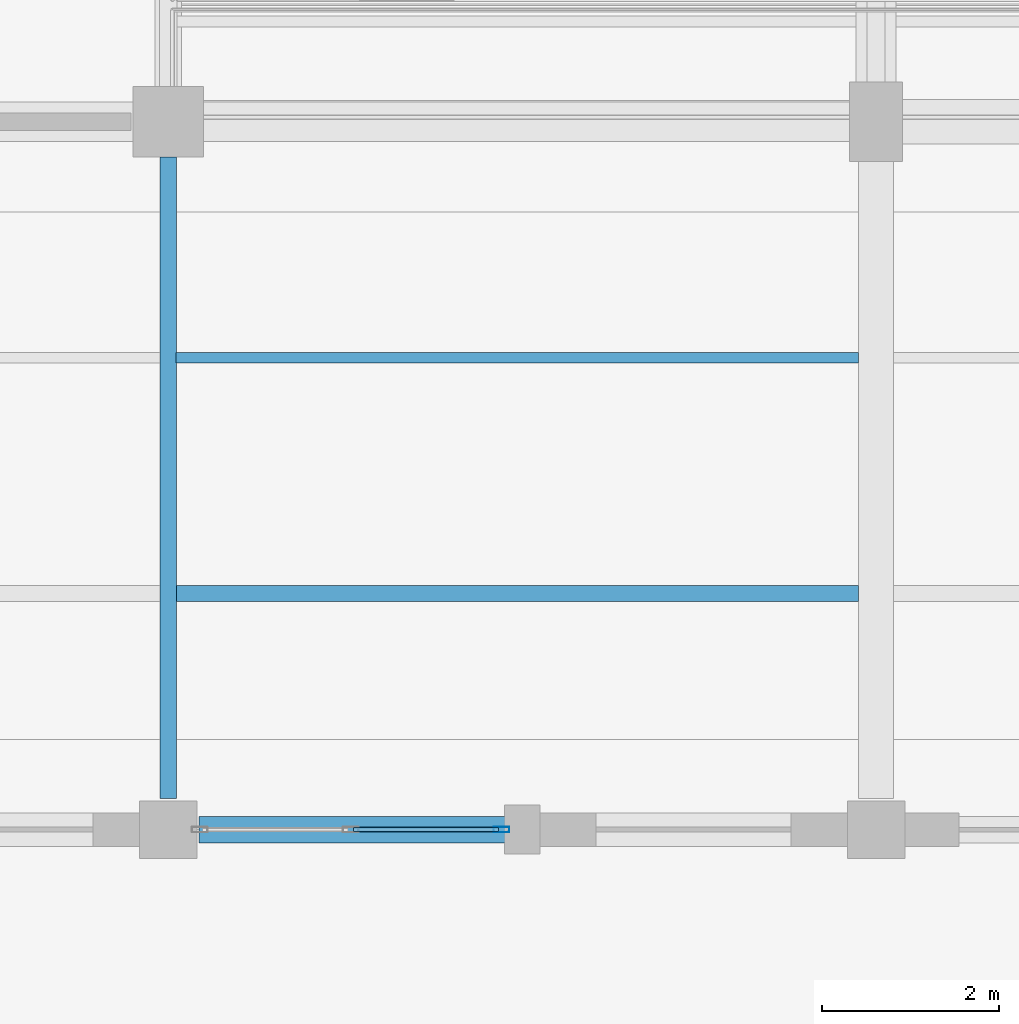
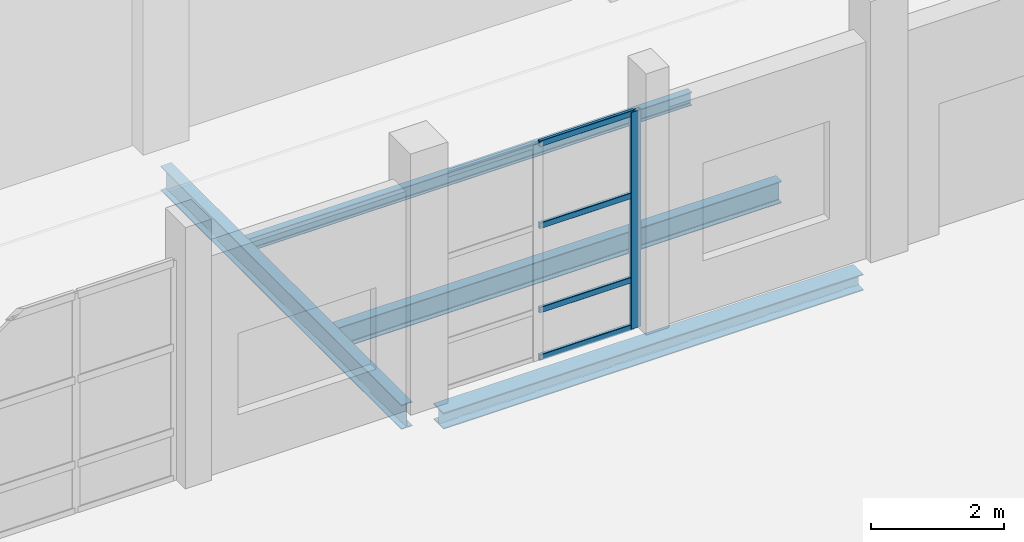
# One storey, part 74 of 156: 5 members, 4 beams, 1 element without a shape of its own.
"""IFC4 building model written with IfcOpenShell, lengths in metres."""

from ifc_helpers import new_model, si_unit, direction, frame, origin, origin_2d, place, context, subcontext, project, spatial, hollow_rectangle, i_section, extrude, material, material_profile, profile_set, type_object, element, aggregate, save


model = new_model("IFC4")

# Units and contexts
model_context = context("Model", 3, precision=1e-05, world=origin(), true_north=direction((0.0, 1.0)))
body_context = subcontext(model_context, "Body", "Model", "MODEL_VIEW")
ifc_project = project(units=[si_unit("LENGTHUNIT", "METRE"), si_unit("AREAUNIT", "SQUARE_METRE"), si_unit("VOLUMEUNIT", "CUBIC_METRE"), si_unit("PLANEANGLEUNIT", "RADIAN"), si_unit("MASSUNIT", "GRAM", prefix="KILO")], contexts=[model_context])

# Site, building, storey
site_placement = place(None, origin())
site = spatial("IfcSite", under=ifc_project, at=site_placement, CompositionType="ELEMENT")
building_placement = place(site_placement, origin())
building = spatial("IfcBuilding", under=site, at=building_placement, Name="Luwemba Playhouse", CompositionType="ELEMENT")
storey_placement = place(building_placement, origin())
storey = spatial("IfcBuildingStorey", under=building, at=storey_placement, Name="L00", CompositionType="ELEMENT", Elevation=0.0)

# Beams
ifc_material_1 = material(Name="Steel S355", Category="steel")
ifc_material_profile_1 = material_profile(ifc_material_1, i_section(OverallWidth=0.18994140625, OverallDepth=0.449951171875, WebThickness=0.009521484375, FlangeThickness=0.0146484375, FilletRadius=0.02099609375, at=origin_2d()))
ifc_profile_set_1 = profile_set([ifc_material_profile_1], Name="Steel S355")
beam_type_1 = type_object("IfcBeamType", Name="BM-SB06", PredefinedType="BEAM", material=ifc_profile_set_1)
beam_1_placement = place(storey_placement, frame((140.0, 36.35009765625, -0.52490234375), z_axis=(0.0, 1.0, 0.0), x_axis=(-1.0, 0.0, 0.0)))
element("IfcBeam", 1, at=beam_1_placement, inside=storey, type_object=beam_type_1, Name="L00 transverse girder 0097", PredefinedType="BEAM", context=body_context, shape_type="SweptSolid", body=[
    extrude(i_section(OverallWidth=0.18994140625, OverallDepth=0.449951171875, WebThickness=0.009521484375, FlangeThickness=0.0146484375, FilletRadius=0.02099609375, at=origin_2d()), origin(), (0.0, 0.0, 1.0), 7.25),
])
ifc_material_profile_2 = material_profile(ifc_material_1, i_section(OverallWidth=0.1201171875, OverallDepth=0.239990234375, WebThickness=0.006103515625, FlangeThickness=0.009765625, FilletRadius=0.014892578125, at=origin_2d()))
ifc_profile_set_2 = profile_set([ifc_material_profile_2], Name="Steel S355")
beam_type_2 = type_object("IfcBeamType", Name="BM-SJ03", PredefinedType="JOIST", material=ifc_profile_set_2)
beam_2_placement = place(storey_placement, frame((140.091064453125, 41.333251953125, -0.419921875), z_axis=(1.0, 0.0, 0.0), x_axis=(0.0, 1.0, 0.0)))
element("IfcBeam", 2, at=beam_2_placement, inside=storey, type_object=beam_type_2, Name="L00 composite floor joist 0077", PredefinedType="JOIST", context=body_context, shape_type="SweptSolid", body=[
    extrude(i_section(OverallWidth=0.1201171875, OverallDepth=0.239990234375, WebThickness=0.006103515625, FlangeThickness=0.009765625, FilletRadius=0.014892578125, at=origin_2d()), origin(), (0.0, 0.0, 1.0), 7.712890625),
])
ifc_material_profile_3 = material_profile(ifc_material_1, i_section(OverallWidth=0.179931640625, OverallDepth=0.39990234375, WebThickness=0.008544921875, FlangeThickness=0.013427734375, FilletRadius=0.02099609375, at=origin_2d()))
ifc_profile_set_3 = profile_set([ifc_material_profile_3], Name="Steel S355")
beam_type_3 = type_object("IfcBeamType", Name="BM-SJ08", PredefinedType="JOIST", material=ifc_profile_set_3)
beam_3_placement = place(storey_placement, frame((140.091064453125, 38.666748046875, -0.5), z_axis=(1.0, 0.0, 0.0), x_axis=(0.0, 1.0, 0.0)))
element("IfcBeam", 3, at=beam_3_placement, inside=storey, type_object=beam_type_3, Name="L00 composite floor joist 0076", PredefinedType="JOIST", context=body_context, shape_type="SweptSolid", body=[
    extrude(i_section(OverallWidth=0.179931640625, OverallDepth=0.39990234375, WebThickness=0.008544921875, FlangeThickness=0.013427734375, FilletRadius=0.02099609375, at=origin_2d()), origin(), (0.0, 0.0, 1.0), 7.712890625),
])
ifc_material_profile_4 = material_profile(ifc_material_1, i_section(OverallWidth=0.300048828125, OverallDepth=0.300048828125, WebThickness=0.010986328125, FlangeThickness=0.01904296875, FilletRadius=0.027099609375, at=origin_2d()))
ifc_profile_set_4 = profile_set([ifc_material_profile_4], Name="Steel S355")
beam_type_4 = type_object("IfcBeamType", Name="BM-SSP1", PredefinedType="SPANDREL", material=ifc_profile_set_4)
beam_4_placement = place(storey_placement, frame((140.35009765625, 36.0, -0.449951171875), z_axis=(1.0, 0.0, 0.0), x_axis=(0.0, 1.0, 0.0)))
element("IfcBeam", 4, at=beam_4_placement, inside=storey, type_object=beam_type_4, Name="L00 grid girder 0075", PredefinedType="SPANDREL", context=body_context, shape_type="SweptSolid", body=[
    extrude(i_section(OverallWidth=0.300048828125, OverallDepth=0.300048828125, WebThickness=0.010986328125, FlangeThickness=0.01904296875, FilletRadius=0.027099609375, at=origin_2d()), origin(), (0.0, 0.0, 1.0), 7.2998046875),
])

# Curtain wall, members
ifc_material_2 = material(Name="Solar-control double glazing", Category="glass")
curtain_wall_type = type_object("IfcCurtainWallType", Name="CW-CW16", PredefinedType="USERDEFINED", material=ifc_material_2)
curtain_wall_placement = place(storey_placement, origin())
curtain_wall = element("IfcCurtainWall", 5, at=curtain_wall_placement, inside=storey, type_object=curtain_wall_type, Name="L00 V3 unitised curtain wall 016", ObjectType="UNITISED GLAZING", PredefinedType="USERDEFINED")
ifc_material_3 = material(Name="Aluminium 6063-T6", Category="aluminium")
ifc_material_profile_5 = material_profile(ifc_material_3, hollow_rectangle(XDim=0.06494140625, YDim=0.179931640625, WallThickness=0.00439453125, InnerFilletRadius=0.0068359375, OuterFilletRadius=0.01123046875, at=origin_2d()))
ifc_profile_set_5 = profile_set([ifc_material_profile_5], Name="Aluminium 6063-T6")
member_type_1 = type_object("IfcMemberType", Name="CWM-M2", PredefinedType="MULLION", material=ifc_profile_set_5)
member_1_placement = place(storey_placement, frame((143.767578125, 36.0, 0.0), z_axis=(0.0, 0.0, 1.0), x_axis=(0.0, -1.0, 0.0)))
member_1 = element("IfcMember", 6, at=member_1_placement, type_object=member_type_1, Name="CW16 mullion 1", PredefinedType="MULLION", context=body_context, shape_type="SweptSolid", body=[
    extrude(hollow_rectangle(XDim=0.06494140625, YDim=0.179931640625, WallThickness=0.00439453125, InnerFilletRadius=0.0068359375, OuterFilletRadius=0.01123046875, at=origin_2d()), origin(), (0.0, 0.0, 1.0), 3.985107421875),
])
ifc_material_profile_6 = material_profile(ifc_material_3, hollow_rectangle(XDim=0.054931640625, YDim=0.110107421875, WallThickness=0.00341796875, InnerFilletRadius=0.00537109375, OuterFilletRadius=0.0087890625, at=origin_2d()))
ifc_profile_set_6 = profile_set([ifc_material_profile_6], Name="Aluminium 6063-T6")
member_type_2 = type_object("IfcMemberType", Name="CWT-T2", PredefinedType="USERDEFINED", material=ifc_profile_set_6)
member_2_placement = place(storey_placement, frame((143.735107421875, 36.0, 0.027587890625), z_axis=(-1.0, 0.0, 0.0), x_axis=(0.0, -1.0, 0.0)))
member_2 = element("IfcMember", 7, at=member_2_placement, type_object=member_type_2, Name="CW16 transom 1.1", ObjectType="TRANSOM", PredefinedType="USERDEFINED", context=body_context, shape_type="SweptSolid", body=[
    extrude(hollow_rectangle(XDim=0.054931640625, YDim=0.110107421875, WallThickness=0.00341796875, InnerFilletRadius=0.00537109375, OuterFilletRadius=0.0087890625, at=origin_2d()), origin(), (0.0, 0.0, 1.0), 1.64013671875),
])
member_3_placement = place(storey_placement, frame((143.735107421875, 36.0, 0.89990234375), z_axis=(-1.0, 0.0, 0.0), x_axis=(0.0, -1.0, 0.0)))
member_3 = element("IfcMember", 8, at=member_3_placement, type_object=member_type_2, Name="CW16 transom 1.2", ObjectType="TRANSOM", PredefinedType="USERDEFINED", context=body_context, shape_type="SweptSolid", body=[
    extrude(hollow_rectangle(XDim=0.054931640625, YDim=0.110107421875, WallThickness=0.00341796875, InnerFilletRadius=0.00537109375, OuterFilletRadius=0.0087890625, at=origin_2d()), origin(), (0.0, 0.0, 1.0), 1.64013671875),
])
member_4_placement = place(storey_placement, frame((143.735107421875, 36.0, 2.449951171875), z_axis=(-1.0, 0.0, 0.0), x_axis=(0.0, -1.0, 0.0)))
member_4 = element("IfcMember", 9, at=member_4_placement, type_object=member_type_2, Name="CW16 transom 1.3", ObjectType="TRANSOM", PredefinedType="USERDEFINED", context=body_context, shape_type="SweptSolid", body=[
    extrude(hollow_rectangle(XDim=0.054931640625, YDim=0.110107421875, WallThickness=0.00341796875, InnerFilletRadius=0.00537109375, OuterFilletRadius=0.0087890625, at=origin_2d()), origin(), (0.0, 0.0, 1.0), 1.64013671875),
])
member_5_placement = place(storey_placement, frame((143.735107421875, 36.0, 3.95751953125), z_axis=(-1.0, 0.0, 0.0), x_axis=(0.0, -1.0, 0.0)))
member_5 = element("IfcMember", 10, at=member_5_placement, type_object=member_type_2, Name="CW16 transom 1.4", ObjectType="TRANSOM", PredefinedType="USERDEFINED", context=body_context, shape_type="SweptSolid", body=[
    extrude(hollow_rectangle(XDim=0.054931640625, YDim=0.110107421875, WallThickness=0.00341796875, InnerFilletRadius=0.00537109375, OuterFilletRadius=0.0087890625, at=origin_2d()), origin(), (0.0, 0.0, 1.0), 1.64013671875),
])
aggregate(curtain_wall, [member_1, member_2, member_3, member_4, member_5])

save(model, "model.ifc")
